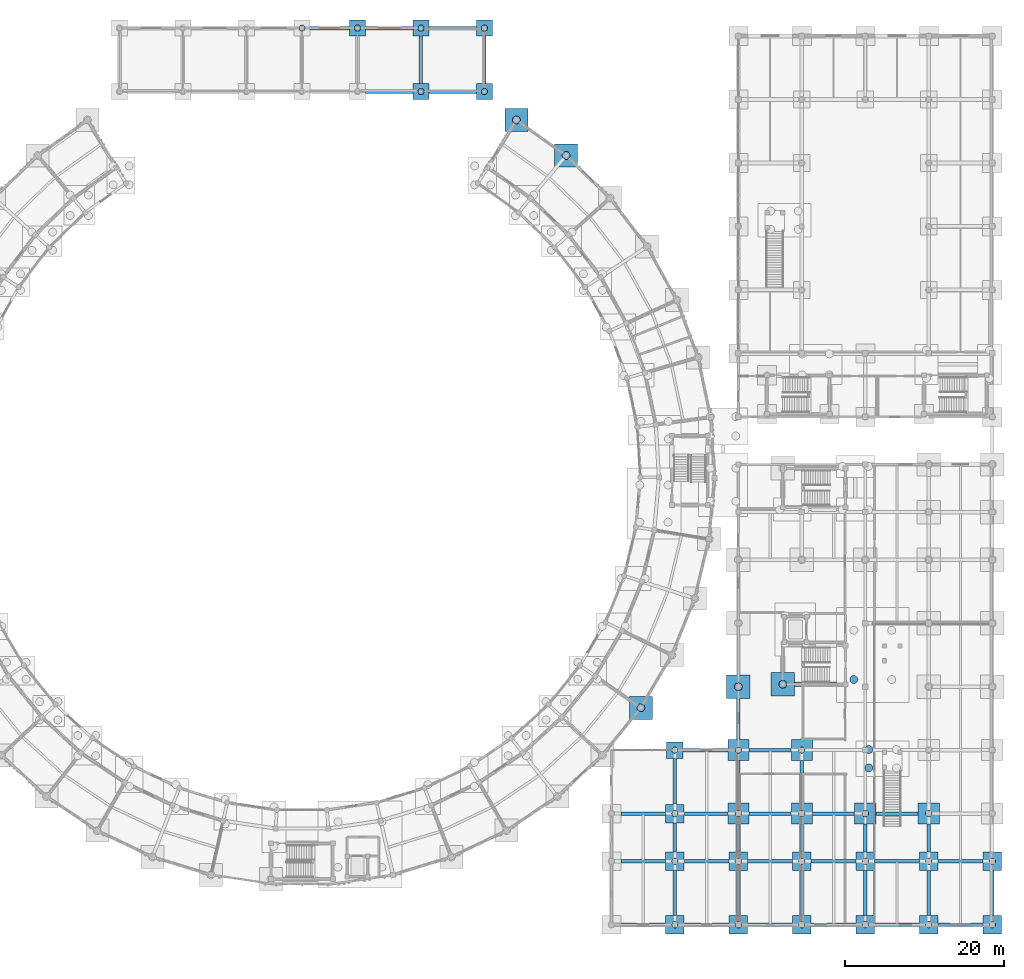
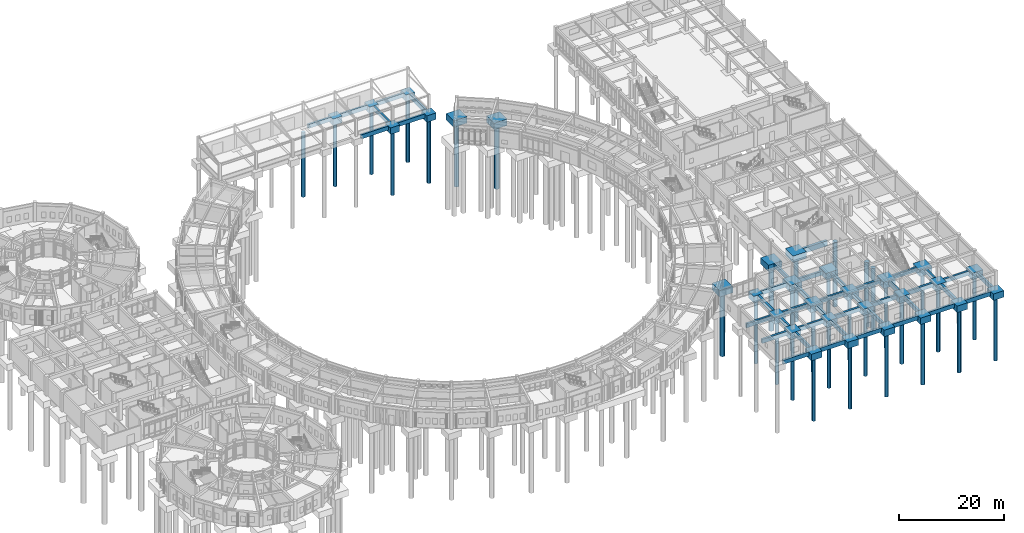
# One storey, part 4 of 153: 72 footings, 34 piles.
"""IFC4 building model written with IfcOpenShell, lengths in metres."""

from ifc_helpers import new_model, si_unit, direction, frame, origin, origin_2d, place, context, subcontext, project, spatial, polyline, rectangle, circle, outline, extrude, material, material_profile, profile_set, type_object, element, save


model = new_model("IFC4")

# Units and contexts
model_context = context("Model", 3, precision=1e-05, world=origin(), true_north=direction((0.0, 1.0)))
body_context = subcontext(model_context, "Body", "Model", "MODEL_VIEW")
ifc_project = project(units=[si_unit("LENGTHUNIT", "METRE"), si_unit("AREAUNIT", "SQUARE_METRE"), si_unit("VOLUMEUNIT", "CUBIC_METRE"), si_unit("PLANEANGLEUNIT", "RADIAN"), si_unit("MASSUNIT", "GRAM", prefix="KILO")], contexts=[model_context])

# Site, building, storey
site_placement = place(None, origin())
site = spatial("IfcSite", under=ifc_project, at=site_placement, CompositionType="ELEMENT")
building_placement = place(site_placement, origin())
building = spatial("IfcBuilding", under=site, at=building_placement, Name="Celadon Cloister-Ring School", CompositionType="ELEMENT")
storey_placement = place(building_placement, origin())
storey = spatial("IfcBuildingStorey", under=building, at=storey_placement, Name="L00", CompositionType="ELEMENT", Elevation=0.0)

# Footings
ifc_material_1 = material(Name="Concrete C40/50", Category="concrete")
footing_type_1 = type_object("IfcFootingType", Name="FC-05", PredefinedType="PILE_CAP", material=ifc_material_1)
for number, where, z_axis, x_axis, name in (
    (1, (129.7119140625, 29.341064453125, -1.5), (0.0, 0.0, 1.0), (1.0, 0.0, 0.0), "Pile Cap 090"),
    (2, (120.297119140625, 98.94091796875, -1.5), (0.0, 0.0, 1.0), (1.0, 0.0, 0.0), "Pile Cap 098"),
    (3, (114.031005859375, 103.422119140625, -1.5), (0.0, 0.0, 1.0), (1.0, 0.0, 0.0), "Pile Cap 099"),
):
    element("IfcFooting", number, at=place(storey_placement, frame(where, z_axis=z_axis, x_axis=x_axis)), inside=storey, type_object=footing_type_1, Name=name, PredefinedType="PILE_CAP", context=body_context, shape_type="SweptSolid", body=[
        extrude(rectangle(XDim=2.89990234375, YDim=2.89990234375, at=origin_2d()), origin(), (0.0, 0.0, 1.0), 1.5),
    ])
ifc_material_2 = material(Name="Concrete C40/50", Category="concrete")
footing_type_2 = type_object("IfcFootingType", Name="FC-16", PredefinedType="PILE_CAP", material=ifc_material_2)
for number, where, z_axis, x_axis, name in (
    (4, (147.60009765625, 32.300048828125, -1.5), (0.0, 0.0, 1.0), (1.0, 0.0, 0.0), "Pile Cap 024"),
    (5, (142.0, 32.0, -1.5), (0.0, 0.0, 1.0), (1.0, 0.0, 0.0), "Pile Cap 147"),
):
    element("IfcFooting", number, at=place(storey_placement, frame(where, z_axis=z_axis, x_axis=x_axis)), inside=storey, type_object=footing_type_2, Name=name, PredefinedType="PILE_CAP", context=body_context, shape_type="SweptSolid", body=[
        extrude(rectangle(XDim=2.9599609375, YDim=2.9599609375, at=origin_2d()), origin(), (0.0, 0.0, 1.0), 1.5),
    ])
ifc_material_3 = material(Name="Concrete C40/50", Category="concrete")
footing_type_3 = type_object("IfcFootingType", Name="FC-44", PredefinedType="PILE_CAP", material=ifc_material_3)
for number, where, z_axis, x_axis, name in (
    (6, (134.0, 10.0, -1.5), (0.0, 0.0, 1.0), (1.0, 0.0, 0.0), "Pile Cap 139"),
    (7, (134.0, 16.0, -1.5), (0.0, 0.0, 1.0), (1.0, 0.0, 0.0), "Pile Cap 140"),
    (8, (134.0, 2.0, -1.5), (0.0, 0.0, 1.0), (1.0, 0.0, 0.0), "Pile Cap 141"),
    (9, (142.0, 10.0, -1.5), (0.0, 0.0, 1.0), (1.0, 0.0, 0.0), "Pile Cap 143"),
    (10, (142.0, 2.0, -1.5), (0.0, 0.0, 1.0), (1.0, 0.0, 0.0), "Pile Cap 145"),
    (11, (150.0, 10.0, -1.5), (0.0, 0.0, 1.0), (1.0, 0.0, 0.0), "Pile Cap 151"),
    (12, (150.0, 2.0, -1.5), (0.0, 0.0, 1.0), (1.0, 0.0, 0.0), "Pile Cap 153"),
    (13, (158.0, 10.0, -1.5), (0.0, 0.0, 1.0), (1.0, 0.0, 0.0), "Pile Cap 156"),
    (14, (158.0, 2.0, -1.5), (0.0, 0.0, 1.0), (1.0, 0.0, 0.0), "Pile Cap 158"),
    (15, (166.0, 10.0, -1.5), (0.0, 0.0, 1.0), (1.0, 0.0, 0.0), "Pile Cap 160"),
    (16, (166.0, 2.0, -1.5), (0.0, 0.0, 1.0), (1.0, 0.0, 0.0), "Pile Cap 162"),
    (17, (174.0, 10.0, -1.5), (0.0, 0.0, 1.0), (1.0, 0.0, 0.0), "Pile Cap 169"),
    (18, (174.0, 2.0, -1.5), (0.0, 0.0, 1.0), (1.0, 0.0, 0.0), "Pile Cap 171"),
):
    element("IfcFooting", number, at=place(storey_placement, frame(where, z_axis=z_axis, x_axis=x_axis)), inside=storey, type_object=footing_type_3, Name=name, PredefinedType="PILE_CAP", context=body_context, shape_type="SweptSolid", body=[
        extrude(rectangle(XDim=2.360107421875, YDim=2.360107421875, at=origin_2d()), origin(), (0.0, 0.0, 1.0), 1.5),
    ])
ifc_material_4 = material(Name="Concrete C40/50", Category="concrete")
footing_type_4 = type_object("IfcFootingType", Name="FC-45", PredefinedType="PILE_CAP", material=ifc_material_4)
footing_1_placement = place(storey_placement, frame((134.0, 24.0, -1.5), z_axis=(0.0, 0.0, 1.0), x_axis=(1.0, 0.0, 0.0)))
element("IfcFooting", 19, at=footing_1_placement, inside=storey, type_object=footing_type_4, Name="Pile Cap 142", PredefinedType="PILE_CAP", context=body_context, shape_type="SweptSolid", body=[
    extrude(rectangle(XDim=2.06005859375, YDim=2.06005859375, at=origin_2d()), origin(), (0.0, 0.0, 1.0), 1.5),
])
ifc_material_5 = material(Name="Concrete C40/50", Category="concrete")
footing_type_5 = type_object("IfcFootingType", Name="FC-46", PredefinedType="PILE_CAP", material=ifc_material_5)
for number, where, z_axis, x_axis, name in (
    (20, (142.0, 16.0, -1.5), (0.0, 0.0, 1.0), (1.0, 0.0, 0.0), "Pile Cap 144"),
    (21, (142.0, 24.0, -1.5), (0.0, 0.0, 1.0), (1.0, 0.0, 0.0), "Pile Cap 146"),
    (22, (150.0, 16.0, -1.5), (0.0, 0.0, 1.0), (1.0, 0.0, 0.0), "Pile Cap 152"),
    (23, (150.0, 24.0, -1.5), (0.0, 0.0, 1.0), (1.0, 0.0, 0.0), "Pile Cap 154"),
    (24, (158.0, 16.0, -1.5), (0.0, 0.0, 1.0), (1.0, 0.0, 0.0), "Pile Cap 157"),
    (25, (166.0, 16.0, -1.5), (0.0, 0.0, 1.0), (1.0, 0.0, 0.0), "Pile Cap 161"),
):
    element("IfcFooting", number, at=place(storey_placement, frame(where, z_axis=z_axis, x_axis=x_axis)), inside=storey, type_object=footing_type_5, Name=name, PredefinedType="PILE_CAP", context=body_context, shape_type="SweptSolid", body=[
        extrude(rectangle(XDim=2.659912109375, YDim=2.659912109375, at=origin_2d()), origin(), (0.0, 0.0, 1.0), 1.5),
    ])
ifc_material_6 = material(Name="Concrete C40/50", Category="concrete")
footing_type_6 = type_object("IfcFootingType", Name="FC-51", PredefinedType="PILE_CAP", material=ifc_material_6)
for number, where, z_axis, x_axis, name in (
    (26, (102.0, 107.0, -1.5), (0.0, 0.0, 1.0), (1.0, 0.0, 0.0), "Pile Cap 210"),
    (27, (102.0, 115.0, -1.5), (0.0, 0.0, 1.0), (1.0, 0.0, 0.0), "Pile Cap 211"),
    (28, (110.0, 107.0, -1.5), (0.0, 0.0, 1.0), (1.0, 0.0, 0.0), "Pile Cap 212"),
    (29, (110.0, 115.0, -1.5), (0.0, 0.0, 1.0), (1.0, 0.0, 0.0), "Pile Cap 213"),
    (30, (94.0, 115.0, -1.5), (0.0, 0.0, 1.0), (1.0, 0.0, 0.0), "Pile Cap 223"),
):
    element("IfcFooting", number, at=place(storey_placement, frame(where, z_axis=z_axis, x_axis=x_axis)), inside=storey, type_object=footing_type_6, Name=name, PredefinedType="PILE_CAP", context=body_context, shape_type="SweptSolid", body=[
        extrude(rectangle(XDim=2.0, YDim=2.0, at=origin_2d()), origin(), (0.0, 0.0, 1.0), 1.5),
    ])

# Piles
ifc_material_7 = material(Name="Concrete C35/45", Category="concrete")
ifc_material_profile_1 = material_profile(ifc_material_7, circle(Radius=0.39990234375, at=origin_2d()), Name="PILE800")
ifc_profile_set_1 = profile_set([ifc_material_profile_1], Name="Concrete C35/45")
pile_type_1 = type_object("IfcPileType", Name="PL-01", PredefinedType="BORED", material=ifc_profile_set_1)
for number, where, z_axis, x_axis, name in (
    (31, (134.0, 10.0, -1.39990234375), (0.0, 0.0, -1.0), (1.0, 0.0, 0.0), "Bored Pile 0277"),
    (32, (134.0, 16.0, -1.39990234375), (0.0, 0.0, -1.0), (1.0, 0.0, 0.0), "Bored Pile 0278"),
    (33, (134.0, 2.0, -1.39990234375), (0.0, 0.0, -1.0), (1.0, 0.0, 0.0), "Bored Pile 0279"),
    (34, (134.0, 24.0, -1.39990234375), (0.0, 0.0, -1.0), (1.0, 0.0, 0.0), "Bored Pile 0280"),
    (35, (142.0, 10.0, -1.39990234375), (0.0, 0.0, -1.0), (1.0, 0.0, 0.0), "Bored Pile 0281"),
    (36, (142.0, 16.0, -1.39990234375), (0.0, 0.0, -1.0), (1.0, 0.0, 0.0), "Bored Pile 0282"),
    (37, (142.0, 2.0, -1.39990234375), (0.0, 0.0, -1.0), (1.0, 0.0, 0.0), "Bored Pile 0283"),
    (38, (142.0, 24.0, -1.39990234375), (0.0, 0.0, -1.0), (1.0, 0.0, 0.0), "Bored Pile 0284"),
    (39, (150.0, 10.0, -1.39990234375), (0.0, 0.0, -1.0), (1.0, 0.0, 0.0), "Bored Pile 0288"),
    (40, (150.0, 16.0, -1.39990234375), (0.0, 0.0, -1.0), (1.0, 0.0, 0.0), "Bored Pile 0289"),
    (41, (150.0, 2.0, -1.39990234375), (0.0, 0.0, -1.0), (1.0, 0.0, 0.0), "Bored Pile 0290"),
    (42, (150.0, 24.0, -1.39990234375), (0.0, 0.0, -1.0), (1.0, 0.0, 0.0), "Bored Pile 0291"),
    (43, (158.0, 10.0, -1.39990234375), (0.0, 0.0, -1.0), (1.0, 0.0, 0.0), "Bored Pile 0293"),
    (44, (158.0, 16.0, -1.39990234375), (0.0, 0.0, -1.0), (1.0, 0.0, 0.0), "Bored Pile 0294"),
    (45, (158.0, 2.0, -1.39990234375), (0.0, 0.0, -1.0), (1.0, 0.0, 0.0), "Bored Pile 0295"),
    (46, (166.0, 10.0, -1.39990234375), (0.0, 0.0, -1.0), (1.0, 0.0, 0.0), "Bored Pile 0297"),
    (47, (166.0, 16.0, -1.39990234375), (0.0, 0.0, -1.0), (1.0, 0.0, 0.0), "Bored Pile 0298"),
    (48, (166.0, 2.0, -1.39990234375), (0.0, 0.0, -1.0), (1.0, 0.0, 0.0), "Bored Pile 0299"),
    (49, (174.0, 10.0, -1.39990234375), (0.0, 0.0, -1.0), (1.0, 0.0, 0.0), "Bored Pile 0306"),
    (50, (174.0, 2.0, -1.39990234375), (0.0, 0.0, -1.0), (1.0, 0.0, 0.0), "Bored Pile 0308"),
    (51, (102.0, 107.0, -1.39990234375), (0.0, 0.0, -1.0), (1.0, 0.0, 0.0), "Bored Pile 0346"),
    (52, (102.0, 115.0, -1.39990234375), (0.0, 0.0, -1.0), (1.0, 0.0, 0.0), "Bored Pile 0347"),
    (53, (110.0, 107.0, -1.39990234375), (0.0, 0.0, -1.0), (1.0, 0.0, 0.0), "Bored Pile 0348"),
    (54, (110.0, 115.0, -1.39990234375), (0.0, 0.0, -1.0), (1.0, 0.0, 0.0), "Bored Pile 0349"),
    (55, (87.0, 115.0, -1.39990234375), (0.0, 0.0, -1.0), (1.0, 0.0, 0.0), "Bored Pile 0357"),
    (56, (94.0, 115.0, -1.39990234375), (0.0, 0.0, -1.0), (1.0, 0.0, 0.0), "Bored Pile 0359"),
):
    element("IfcPile", number, at=place(storey_placement, frame(where, z_axis=z_axis, x_axis=x_axis)), inside=storey, type_object=pile_type_1, Name=name, PredefinedType="BORED", context=body_context, shape_type="SweptSolid", body=[
        extrude(circle(Radius=0.39990234375, at=origin_2d()), origin(), (0.0, 0.0, 1.0), 15.0),
    ])
ifc_material_8 = material(Name="Concrete C35/45", Category="concrete")
ifc_material_profile_2 = material_profile(ifc_material_8, circle(Radius=0.5, at=origin_2d()), Name="PILE1000")
ifc_profile_set_2 = profile_set([ifc_material_profile_2], Name="Concrete C35/45")
pile_type_2 = type_object("IfcPileType", Name="PL-02", PredefinedType="BORED", material=ifc_profile_set_2)
for number, where, z_axis, x_axis, name in (
    (57, (147.60009765625, 32.300048828125, -1.39990234375), (0.0, 0.0, -1.0), (1.0, 0.0, 0.0), "Bored Pile 0072"),
    (58, (156.552978515625, 32.89697265625, -1.39990234375), (0.0, 0.0, -1.0), (1.0, 0.0, 0.0), "Bored Pile 0073"),
    (59, (158.452880859375, 21.76806640625, -1.39990234375), (0.0, 0.0, -1.0), (1.0, 0.0, 0.0), "Bored Pile 0116"),
    (60, (158.452880859375, 24.08203125, -1.39990234375), (0.0, 0.0, -1.0), (1.0, 0.0, 0.0), "Bored Pile 0119"),
    (61, (129.7119140625, 29.341064453125, -1.39990234375), (0.0, 0.0, -1.0), (1.0, 0.0, 0.0), "Bored Pile 0228"),
    (62, (120.297119140625, 98.94091796875, -1.39990234375), (0.0, 0.0, -1.0), (1.0, 0.0, 0.0), "Bored Pile 0236"),
    (63, (114.031005859375, 103.422119140625, -1.39990234375), (0.0, 0.0, -1.0), (1.0, 0.0, 0.0), "Bored Pile 0237"),
    (64, (142.0, 32.0, -1.39990234375), (0.0, 0.0, -1.0), (1.0, 0.0, 0.0), "Bored Pile 0285"),
):
    element("IfcPile", number, at=place(storey_placement, frame(where, z_axis=z_axis, x_axis=x_axis)), inside=storey, type_object=pile_type_2, Name=name, PredefinedType="BORED", context=body_context, shape_type="SweptSolid", body=[
        extrude(circle(Radius=0.5, at=origin_2d()), origin(), (0.0, 0.0, 1.0), 15.0),
    ])

# Footings
ifc_material_9 = material(Name="Concrete C40/50", Category="concrete")
footing_type_7 = type_object("IfcFootingType", Name="SF-01", PredefinedType="STRIP_FOOTING", material=ifc_material_9)
footing_2_placement = place(storey_placement, frame((0.0, 0.0, -0.949951171875)))
element("IfcFooting", 65, at=footing_2_placement, inside=storey, type_object=footing_type_7, Name="Seismic Tie Strip 0041", PredefinedType="STRIP_FOOTING", context=body_context, shape_type="SweptSolid", body=[
    extrude(outline(polyline([(127.18505859375, 9.77490234375), (132.81494140625, 9.77490234375), (132.81494140625, 10.22509765625), (127.18505859375, 10.22509765625), (127.18505859375, 9.77490234375)])), origin(), (0.0, 0.0, 1.0), 0.949951171875),
])
footing_3_placement = place(storey_placement, frame((0.0, 0.0, -0.949951171875)))
element("IfcFooting", 66, at=footing_3_placement, inside=storey, type_object=footing_type_7, Name="Seismic Tie Strip 0042", PredefinedType="STRIP_FOOTING", context=body_context, shape_type="SweptSolid", body=[
    extrude(outline(polyline([(127.18505859375, 15.77490234375), (132.81494140625, 15.77490234375), (132.81494140625, 16.22509765625), (127.18505859375, 16.22509765625), (127.18505859375, 15.77490234375)])), origin(), (0.0, 0.0, 1.0), 0.949951171875),
])
footing_4_placement = place(storey_placement, frame((0.0, 0.0, -0.949951171875)))
element("IfcFooting", 67, at=footing_4_placement, inside=storey, type_object=footing_type_7, Name="Seismic Tie Strip 0043", PredefinedType="STRIP_FOOTING", context=body_context, shape_type="SweptSolid", body=[
    extrude(outline(polyline([(127.18505859375, 1.77490234375), (132.81494140625, 1.77490234375), (132.81494140625, 2.22509765625), (127.18505859375, 2.22509765625), (127.18505859375, 1.77490234375)])), origin(), (0.0, 0.0, 1.0), 0.949951171875),
])
footing_5_placement = place(storey_placement, frame((0.0, 0.0, -0.949951171875)))
element("IfcFooting", 68, at=footing_5_placement, inside=storey, type_object=footing_type_7, Name="Seismic Tie Strip 0044", PredefinedType="STRIP_FOOTING", context=body_context, shape_type="SweptSolid", body=[
    extrude(outline(polyline([(134.22509765625, 11.18505859375), (134.22509765625, 14.81494140625), (133.77490234375, 14.81494140625), (133.77490234375, 11.18505859375), (134.22509765625, 11.18505859375)])), origin(), (0.0, 0.0, 1.0), 0.949951171875),
])
footing_6_placement = place(storey_placement, frame((0.0, 0.0, -0.949951171875)))
element("IfcFooting", 69, at=footing_6_placement, inside=storey, type_object=footing_type_7, Name="Seismic Tie Strip 0045", PredefinedType="STRIP_FOOTING", context=body_context, shape_type="SweptSolid", body=[
    extrude(outline(polyline([(133.77490234375, 8.81494140625), (133.77490234375, 3.18505859375), (134.22509765625, 3.18505859375), (134.22509765625, 8.81494140625), (133.77490234375, 8.81494140625)])), origin(), (0.0, 0.0, 1.0), 0.949951171875),
])
footing_7_placement = place(storey_placement, frame((0.0, 0.0, -0.949951171875)))
element("IfcFooting", 70, at=footing_7_placement, inside=storey, type_object=footing_type_7, Name="Seismic Tie Strip 0046", PredefinedType="STRIP_FOOTING", context=body_context, shape_type="SweptSolid", body=[
    extrude(outline(polyline([(135.18505859375, 9.77490234375), (140.81494140625, 9.77490234375), (140.81494140625, 10.22509765625), (135.18505859375, 10.22509765625), (135.18505859375, 9.77490234375)])), origin(), (0.0, 0.0, 1.0), 0.949951171875),
])
footing_8_placement = place(storey_placement, frame((0.0, 0.0, -0.949951171875)))
element("IfcFooting", 71, at=footing_8_placement, inside=storey, type_object=footing_type_7, Name="Seismic Tie Strip 0047", PredefinedType="STRIP_FOOTING", context=body_context, shape_type="SweptSolid", body=[
    extrude(outline(polyline([(134.22509765625, 17.18505859375), (134.22509765625, 22.965087890625), (133.77490234375, 22.965087890625), (133.77490234375, 17.18505859375), (134.22509765625, 17.18505859375)])), origin(), (0.0, 0.0, 1.0), 0.949951171875),
])
footing_9_placement = place(storey_placement, frame((0.0, 0.0, -0.949951171875)))
element("IfcFooting", 72, at=footing_9_placement, inside=storey, type_object=footing_type_7, Name="Seismic Tie Strip 0048", PredefinedType="STRIP_FOOTING", context=body_context, shape_type="SweptSolid", body=[
    extrude(outline(polyline([(135.18505859375, 15.77490234375), (140.6650390625, 15.77490234375), (140.6650390625, 16.22509765625), (135.18505859375, 16.22509765625), (135.18505859375, 15.77490234375)])), origin(), (0.0, 0.0, 1.0), 0.949951171875),
])
footing_10_placement = place(storey_placement, frame((0.0, 0.0, -0.949951171875)))
element("IfcFooting", 73, at=footing_10_placement, inside=storey, type_object=footing_type_7, Name="Seismic Tie Strip 0049", PredefinedType="STRIP_FOOTING", context=body_context, shape_type="SweptSolid", body=[
    extrude(outline(polyline([(135.18505859375, 1.77490234375), (140.81494140625, 1.77490234375), (140.81494140625, 2.22509765625), (135.18505859375, 2.22509765625), (135.18505859375, 1.77490234375)])), origin(), (0.0, 0.0, 1.0), 0.949951171875),
])
footing_11_placement = place(storey_placement, frame((0.0, 0.0, -0.949951171875)))
element("IfcFooting", 74, at=footing_11_placement, inside=storey, type_object=footing_type_7, Name="Seismic Tie Strip 0050", PredefinedType="STRIP_FOOTING", context=body_context, shape_type="SweptSolid", body=[
    extrude(outline(polyline([(135.034912109375, 23.77490234375), (140.6650390625, 23.77490234375), (140.6650390625, 24.22509765625), (135.034912109375, 24.22509765625), (135.034912109375, 23.77490234375)])), origin(), (0.0, 0.0, 1.0), 0.949951171875),
])
footing_12_placement = place(storey_placement, frame((0.0, 0.0, -0.949951171875)))
element("IfcFooting", 75, at=footing_12_placement, inside=storey, type_object=footing_type_7, Name="Seismic Tie Strip 0051", PredefinedType="STRIP_FOOTING", context=body_context, shape_type="SweptSolid", body=[
    extrude(outline(polyline([(142.22509765625, 11.18505859375), (142.22509765625, 14.6650390625), (141.77490234375, 14.6650390625), (141.77490234375, 11.18505859375), (142.22509765625, 11.18505859375)])), origin(), (0.0, 0.0, 1.0), 0.949951171875),
])
footing_13_placement = place(storey_placement, frame((0.0, 0.0, -0.949951171875)))
element("IfcFooting", 76, at=footing_13_placement, inside=storey, type_object=footing_type_7, Name="Seismic Tie Strip 0052", PredefinedType="STRIP_FOOTING", context=body_context, shape_type="SweptSolid", body=[
    extrude(outline(polyline([(141.77490234375, 8.81494140625), (141.77490234375, 3.18505859375), (142.22509765625, 3.18505859375), (142.22509765625, 8.81494140625), (141.77490234375, 8.81494140625)])), origin(), (0.0, 0.0, 1.0), 0.949951171875),
])
footing_14_placement = place(storey_placement, frame((0.0, 0.0, -0.949951171875)))
element("IfcFooting", 77, at=footing_14_placement, inside=storey, type_object=footing_type_7, Name="Seismic Tie Strip 0053", PredefinedType="STRIP_FOOTING", context=body_context, shape_type="SweptSolid", body=[
    extrude(outline(polyline([(143.18505859375, 9.77490234375), (148.81494140625, 9.77490234375), (148.81494140625, 10.22509765625), (143.18505859375, 10.22509765625), (143.18505859375, 9.77490234375)])), origin(), (0.0, 0.0, 1.0), 0.949951171875),
])
footing_15_placement = place(storey_placement, frame((0.0, 0.0, -0.949951171875)))
element("IfcFooting", 78, at=footing_15_placement, inside=storey, type_object=footing_type_7, Name="Seismic Tie Strip 0054", PredefinedType="STRIP_FOOTING", context=body_context, shape_type="SweptSolid", body=[
    extrude(outline(polyline([(142.22509765625, 17.3349609375), (142.22509765625, 22.6650390625), (141.77490234375, 22.6650390625), (141.77490234375, 17.3349609375), (142.22509765625, 17.3349609375)])), origin(), (0.0, 0.0, 1.0), 0.949951171875),
])
footing_16_placement = place(storey_placement, frame((0.0, 0.0, -0.949951171875)))
element("IfcFooting", 79, at=footing_16_placement, inside=storey, type_object=footing_type_7, Name="Seismic Tie Strip 0055", PredefinedType="STRIP_FOOTING", context=body_context, shape_type="SweptSolid", body=[
    extrude(outline(polyline([(143.3349609375, 15.77490234375), (148.6650390625, 15.77490234375), (148.6650390625, 16.22509765625), (143.3349609375, 16.22509765625), (143.3349609375, 15.77490234375)])), origin(), (0.0, 0.0, 1.0), 0.949951171875),
])
footing_17_placement = place(storey_placement, frame((0.0, 0.0, -0.949951171875)))
element("IfcFooting", 80, at=footing_17_placement, inside=storey, type_object=footing_type_7, Name="Seismic Tie Strip 0056", PredefinedType="STRIP_FOOTING", context=body_context, shape_type="SweptSolid", body=[
    extrude(outline(polyline([(143.18505859375, 1.77490234375), (148.81494140625, 1.77490234375), (148.81494140625, 2.22509765625), (143.18505859375, 2.22509765625), (143.18505859375, 1.77490234375)])), origin(), (0.0, 0.0, 1.0), 0.949951171875),
])
footing_18_placement = place(storey_placement, frame((0.0, 0.0, -0.949951171875)))
element("IfcFooting", 81, at=footing_18_placement, inside=storey, type_object=footing_type_7, Name="Seismic Tie Strip 0057", PredefinedType="STRIP_FOOTING", context=body_context, shape_type="SweptSolid", body=[
    extrude(outline(polyline([(142.22509765625, 25.3349609375), (142.22509765625, 30.514892578125), (141.77490234375, 30.514892578125), (141.77490234375, 25.3349609375), (142.22509765625, 25.3349609375)])), origin(), (0.0, 0.0, 1.0), 0.949951171875),
])
footing_19_placement = place(storey_placement, frame((0.0, 0.0, -0.949951171875)))
element("IfcFooting", 82, at=footing_19_placement, inside=storey, type_object=footing_type_7, Name="Seismic Tie Strip 0058", PredefinedType="STRIP_FOOTING", context=body_context, shape_type="SweptSolid", body=[
    extrude(outline(polyline([(143.3349609375, 23.77490234375), (148.6650390625, 23.77490234375), (148.6650390625, 24.22509765625), (143.3349609375, 24.22509765625), (143.3349609375, 23.77490234375)])), origin(), (0.0, 0.0, 1.0), 0.949951171875),
])
footing_20_placement = place(storey_placement, frame((0.0, 0.0, -0.949951171875)))
element("IfcFooting", 83, at=footing_20_placement, inside=storey, type_object=footing_type_7, Name="Seismic Tie Strip 0062", PredefinedType="STRIP_FOOTING", context=body_context, shape_type="SweptSolid", body=[
    extrude(outline(polyline([(150.22509765625, 11.18505859375), (150.22509765625, 14.6650390625), (149.77490234375, 14.6650390625), (149.77490234375, 11.18505859375), (150.22509765625, 11.18505859375)])), origin(), (0.0, 0.0, 1.0), 0.949951171875),
])
footing_21_placement = place(storey_placement, frame((0.0, 0.0, -0.949951171875)))
element("IfcFooting", 84, at=footing_21_placement, inside=storey, type_object=footing_type_7, Name="Seismic Tie Strip 0063", PredefinedType="STRIP_FOOTING", context=body_context, shape_type="SweptSolid", body=[
    extrude(outline(polyline([(149.77490234375, 8.81494140625), (149.77490234375, 3.18505859375), (150.22509765625, 3.18505859375), (150.22509765625, 8.81494140625), (149.77490234375, 8.81494140625)])), origin(), (0.0, 0.0, 1.0), 0.949951171875),
])
footing_22_placement = place(storey_placement, frame((0.0, 0.0, -0.949951171875)))
element("IfcFooting", 85, at=footing_22_placement, inside=storey, type_object=footing_type_7, Name="Seismic Tie Strip 0064", PredefinedType="STRIP_FOOTING", context=body_context, shape_type="SweptSolid", body=[
    extrude(outline(polyline([(151.18505859375, 9.77490234375), (156.81494140625, 9.77490234375), (156.81494140625, 10.22509765625), (151.18505859375, 10.22509765625), (151.18505859375, 9.77490234375)])), origin(), (0.0, 0.0, 1.0), 0.949951171875),
])
footing_23_placement = place(storey_placement, frame((0.0, 0.0, -0.949951171875)))
element("IfcFooting", 86, at=footing_23_placement, inside=storey, type_object=footing_type_7, Name="Seismic Tie Strip 0065", PredefinedType="STRIP_FOOTING", context=body_context, shape_type="SweptSolid", body=[
    extrude(outline(polyline([(150.22509765625, 17.3349609375), (150.22509765625, 22.6650390625), (149.77490234375, 22.6650390625), (149.77490234375, 17.3349609375), (150.22509765625, 17.3349609375)])), origin(), (0.0, 0.0, 1.0), 0.949951171875),
])
footing_24_placement = place(storey_placement, frame((0.0, 0.0, -0.949951171875)))
element("IfcFooting", 87, at=footing_24_placement, inside=storey, type_object=footing_type_7, Name="Seismic Tie Strip 0066", PredefinedType="STRIP_FOOTING", context=body_context, shape_type="SweptSolid", body=[
    extrude(outline(polyline([(151.3349609375, 15.77490234375), (156.6650390625, 15.77490234375), (156.6650390625, 16.22509765625), (151.3349609375, 16.22509765625), (151.3349609375, 15.77490234375)])), origin(), (0.0, 0.0, 1.0), 0.949951171875),
])
footing_25_placement = place(storey_placement, frame((0.0, 0.0, -0.949951171875)))
element("IfcFooting", 88, at=footing_25_placement, inside=storey, type_object=footing_type_7, Name="Seismic Tie Strip 0067", PredefinedType="STRIP_FOOTING", context=body_context, shape_type="SweptSolid", body=[
    extrude(outline(polyline([(151.18505859375, 1.77490234375), (156.81494140625, 1.77490234375), (156.81494140625, 2.22509765625), (151.18505859375, 2.22509765625), (151.18505859375, 1.77490234375)])), origin(), (0.0, 0.0, 1.0), 0.949951171875),
])
footing_26_placement = place(storey_placement, frame((0.0, 0.0, -0.949951171875)))
element("IfcFooting", 89, at=footing_26_placement, inside=storey, type_object=footing_type_7, Name="Seismic Tie Strip 0069", PredefinedType="STRIP_FOOTING", context=body_context, shape_type="SweptSolid", body=[
    extrude(outline(polyline([(158.22509765625, 11.18505859375), (158.22509765625, 14.6650390625), (157.77490234375, 14.6650390625), (157.77490234375, 11.18505859375), (158.22509765625, 11.18505859375)])), origin(), (0.0, 0.0, 1.0), 0.949951171875),
])
footing_27_placement = place(storey_placement, frame((0.0, 0.0, -0.949951171875)))
element("IfcFooting", 90, at=footing_27_placement, inside=storey, type_object=footing_type_7, Name="Seismic Tie Strip 0070", PredefinedType="STRIP_FOOTING", context=body_context, shape_type="SweptSolid", body=[
    extrude(outline(polyline([(157.77490234375, 8.81494140625), (157.77490234375, 3.18505859375), (158.22509765625, 3.18505859375), (158.22509765625, 8.81494140625), (157.77490234375, 8.81494140625)])), origin(), (0.0, 0.0, 1.0), 0.949951171875),
])
footing_28_placement = place(storey_placement, frame((0.0, 0.0, -0.949951171875)))
element("IfcFooting", 91, at=footing_28_placement, inside=storey, type_object=footing_type_7, Name="Seismic Tie Strip 0071", PredefinedType="STRIP_FOOTING", context=body_context, shape_type="SweptSolid", body=[
    extrude(outline(polyline([(159.18505859375, 9.77490234375), (164.81494140625, 9.77490234375), (164.81494140625, 10.22509765625), (159.18505859375, 10.22509765625), (159.18505859375, 9.77490234375)])), origin(), (0.0, 0.0, 1.0), 0.949951171875),
])
footing_29_placement = place(storey_placement, frame((0.0, 0.0, -0.949951171875)))
element("IfcFooting", 92, at=footing_29_placement, inside=storey, type_object=footing_type_7, Name="Seismic Tie Strip 0072", PredefinedType="STRIP_FOOTING", context=body_context, shape_type="SweptSolid", body=[
    extrude(outline(polyline([(159.3349609375, 15.77490234375), (164.6650390625, 15.77490234375), (164.6650390625, 16.22509765625), (159.3349609375, 16.22509765625), (159.3349609375, 15.77490234375)])), origin(), (0.0, 0.0, 1.0), 0.949951171875),
])
footing_30_placement = place(storey_placement, frame((0.0, 0.0, -0.949951171875)))
element("IfcFooting", 93, at=footing_30_placement, inside=storey, type_object=footing_type_7, Name="Seismic Tie Strip 0073", PredefinedType="STRIP_FOOTING", context=body_context, shape_type="SweptSolid", body=[
    extrude(outline(polyline([(159.18505859375, 1.77490234375), (164.81494140625, 1.77490234375), (164.81494140625, 2.22509765625), (159.18505859375, 2.22509765625), (159.18505859375, 1.77490234375)])), origin(), (0.0, 0.0, 1.0), 0.949951171875),
])
footing_31_placement = place(storey_placement, frame((0.0, 0.0, -0.949951171875)))
element("IfcFooting", 94, at=footing_31_placement, inside=storey, type_object=footing_type_7, Name="Seismic Tie Strip 0075", PredefinedType="STRIP_FOOTING", context=body_context, shape_type="SweptSolid", body=[
    extrude(outline(polyline([(166.22509765625, 11.18505859375), (166.22509765625, 14.6650390625), (165.77490234375, 14.6650390625), (165.77490234375, 11.18505859375), (166.22509765625, 11.18505859375)])), origin(), (0.0, 0.0, 1.0), 0.949951171875),
])
footing_32_placement = place(storey_placement, frame((0.0, 0.0, -0.949951171875)))
element("IfcFooting", 95, at=footing_32_placement, inside=storey, type_object=footing_type_7, Name="Seismic Tie Strip 0076", PredefinedType="STRIP_FOOTING", context=body_context, shape_type="SweptSolid", body=[
    extrude(outline(polyline([(165.77490234375, 8.81494140625), (165.77490234375, 3.18505859375), (166.22509765625, 3.18505859375), (166.22509765625, 8.81494140625), (165.77490234375, 8.81494140625)])), origin(), (0.0, 0.0, 1.0), 0.949951171875),
])
footing_33_placement = place(storey_placement, frame((0.0, 0.0, -0.949951171875)))
element("IfcFooting", 96, at=footing_33_placement, inside=storey, type_object=footing_type_7, Name="Seismic Tie Strip 0077", PredefinedType="STRIP_FOOTING", context=body_context, shape_type="SweptSolid", body=[
    extrude(outline(polyline([(167.18505859375, 9.77490234375), (172.81494140625, 9.77490234375), (172.81494140625, 10.22509765625), (167.18505859375, 10.22509765625), (167.18505859375, 9.77490234375)])), origin(), (0.0, 0.0, 1.0), 0.949951171875),
])
footing_34_placement = place(storey_placement, frame((0.0, 0.0, -0.949951171875)))
element("IfcFooting", 97, at=footing_34_placement, inside=storey, type_object=footing_type_7, Name="Seismic Tie Strip 0080", PredefinedType="STRIP_FOOTING", context=body_context, shape_type="SweptSolid", body=[
    extrude(outline(polyline([(167.18505859375, 1.77490234375), (172.81494140625, 1.77490234375), (172.81494140625, 2.22509765625), (167.18505859375, 2.22509765625), (167.18505859375, 1.77490234375)])), origin(), (0.0, 0.0, 1.0), 0.949951171875),
])
footing_35_placement = place(storey_placement, frame((0.0, 0.0, -0.949951171875)))
element("IfcFooting", 98, at=footing_35_placement, inside=storey, type_object=footing_type_7, Name="Seismic Tie Strip 0093", PredefinedType="STRIP_FOOTING", context=body_context, shape_type="SweptSolid", body=[
    extrude(outline(polyline([(173.77490234375, 8.81494140625), (173.77490234375, 3.18505859375), (174.22509765625, 3.18505859375), (174.22509765625, 8.81494140625), (173.77490234375, 8.81494140625)])), origin(), (0.0, 0.0, 1.0), 0.949951171875),
])
footing_36_placement = place(storey_placement, frame((0.0, 0.0, -0.949951171875)))
element("IfcFooting", 99, at=footing_36_placement, inside=storey, type_object=footing_type_7, Name="Seismic Tie Strip 0125", PredefinedType="STRIP_FOOTING", context=body_context, shape_type="SweptSolid", body=[
    extrude(outline(polyline([(102.22509765625, 108.0048828125), (102.22509765625, 113.9951171875), (101.77490234375, 113.9951171875), (101.77490234375, 108.0048828125), (102.22509765625, 108.0048828125)])), origin(), (0.0, 0.0, 1.0), 0.949951171875),
])
footing_37_placement = place(storey_placement, frame((0.0, 0.0, -0.949951171875)))
element("IfcFooting", 100, at=footing_37_placement, inside=storey, type_object=footing_type_7, Name="Seismic Tie Strip 0126", PredefinedType="STRIP_FOOTING", context=body_context, shape_type="SweptSolid", body=[
    extrude(outline(polyline([(103.0048828125, 106.77490234375), (108.9951171875, 106.77490234375), (108.9951171875, 107.22509765625), (103.0048828125, 107.22509765625), (103.0048828125, 106.77490234375)])), origin(), (0.0, 0.0, 1.0), 0.949951171875),
])
footing_38_placement = place(storey_placement, frame((0.0, 0.0, -0.949951171875)))
element("IfcFooting", 101, at=footing_38_placement, inside=storey, type_object=footing_type_7, Name="Seismic Tie Strip 0127", PredefinedType="STRIP_FOOTING", context=body_context, shape_type="SweptSolid", body=[
    extrude(outline(polyline([(100.9951171875, 107.22509765625), (95.0048828125, 107.22509765625), (95.0048828125, 106.77490234375), (100.9951171875, 106.77490234375), (100.9951171875, 107.22509765625)])), origin(), (0.0, 0.0, 1.0), 0.949951171875),
])
footing_39_placement = place(storey_placement, frame((0.0, 0.0, -0.949951171875)))
element("IfcFooting", 102, at=footing_39_placement, inside=storey, type_object=footing_type_7, Name="Seismic Tie Strip 0128", PredefinedType="STRIP_FOOTING", context=body_context, shape_type="SweptSolid", body=[
    extrude(outline(polyline([(103.0048828125, 114.77490234375), (108.9951171875, 114.77490234375), (108.9951171875, 115.22509765625), (103.0048828125, 115.22509765625), (103.0048828125, 114.77490234375)])), origin(), (0.0, 0.0, 1.0), 0.949951171875),
])
footing_40_placement = place(storey_placement, frame((0.0, 0.0, -0.949951171875)))
element("IfcFooting", 103, at=footing_40_placement, inside=storey, type_object=footing_type_7, Name="Seismic Tie Strip 0129", PredefinedType="STRIP_FOOTING", context=body_context, shape_type="SweptSolid", body=[
    extrude(outline(polyline([(100.9951171875, 115.22509765625), (95.0048828125, 115.22509765625), (95.0048828125, 114.77490234375), (100.9951171875, 114.77490234375), (100.9951171875, 115.22509765625)])), origin(), (0.0, 0.0, 1.0), 0.949951171875),
])
footing_41_placement = place(storey_placement, frame((0.0, 0.0, -0.949951171875)))
element("IfcFooting", 104, at=footing_41_placement, inside=storey, type_object=footing_type_7, Name="Seismic Tie Strip 0130", PredefinedType="STRIP_FOOTING", context=body_context, shape_type="SweptSolid", body=[
    extrude(outline(polyline([(110.22509765625, 108.0048828125), (110.22509765625, 113.9951171875), (109.77490234375, 113.9951171875), (109.77490234375, 108.0048828125), (110.22509765625, 108.0048828125)])), origin(), (0.0, 0.0, 1.0), 0.949951171875),
])
footing_42_placement = place(storey_placement, frame((0.0, 0.0, -0.949951171875)))
element("IfcFooting", 105, at=footing_42_placement, inside=storey, type_object=footing_type_7, Name="Seismic Tie Strip 0142", PredefinedType="STRIP_FOOTING", context=body_context, shape_type="SweptSolid", body=[
    extrude(outline(polyline([(88.0048828125, 114.77490234375), (92.9951171875, 114.77490234375), (92.9951171875, 115.22509765625), (88.0048828125, 115.22509765625), (88.0048828125, 114.77490234375)])), origin(), (0.0, 0.0, 1.0), 0.949951171875),
])
ifc_material_10 = material(Name="Concrete C40/50", Category="concrete")
footing_type_8 = type_object("IfcFootingType", Name="SF-02", PredefinedType="STRIP_FOOTING", material=ifc_material_10)
footing_43_placement = place(storey_placement, frame((0.0, 0.0, -1.199951171875)))
element("IfcFooting", 106, at=footing_43_placement, inside=storey, type_object=footing_type_8, Name="Seismic Tie Strip 0161", PredefinedType="STRIP_FOOTING", context=body_context, shape_type="SweptSolid", body=[
    extrude(outline(polyline([(149.0849609375, 32.02490234375), (154.344970703125, 32.02490234375), (154.344970703125, 32.574951171875), (149.0849609375, 32.574951171875), (149.0849609375, 32.02490234375)])), origin(), (0.0, 0.0, 1.0), 1.199951171875),
])

save(model, "model.ifc")
